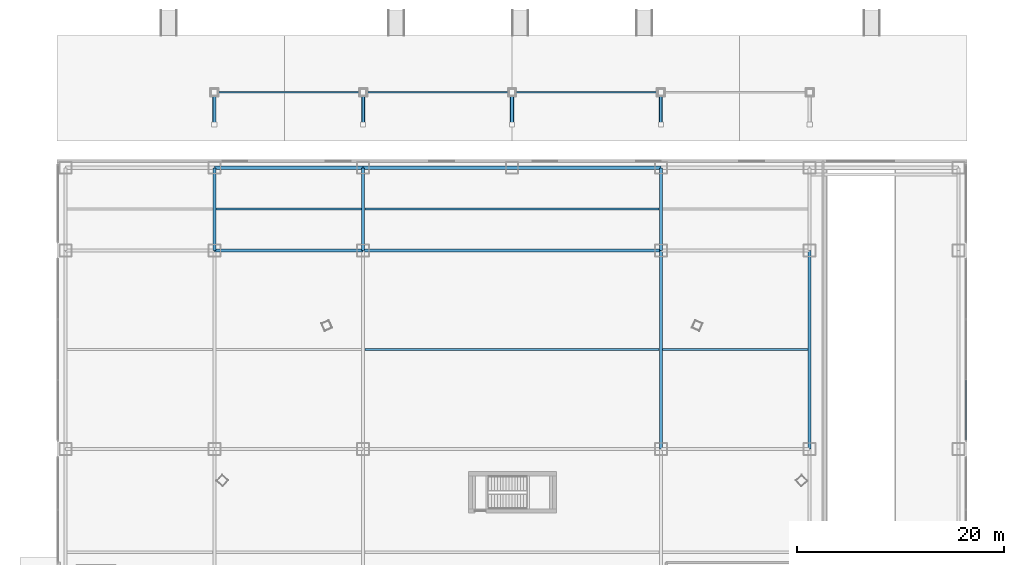
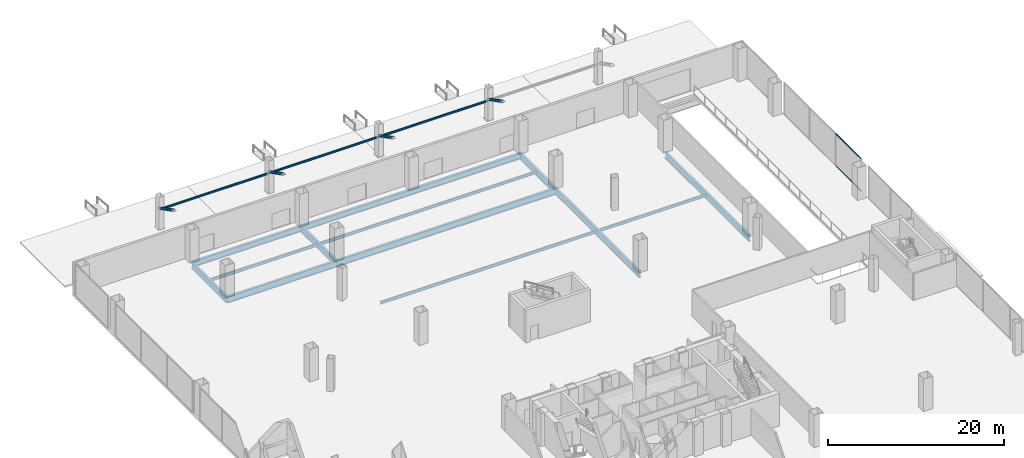
# One storey, part 39 of 58: 16 beams, 6 members, 1 element without a shape of its own.
"""IFC4 building model written with IfcOpenShell, lengths in metres."""

from ifc_helpers import new_model, si_unit, direction, frame, origin, origin_2d, place, context, subcontext, project, spatial, hollow_rectangle, hollow_circle, i_section, extrude, source, transform, mapped, material, layer, layer_set, material_profile, profile_set, type_object, element, aggregate, save


model = new_model("IFC4")

# Units and contexts
model_context = context("Model", 3, precision=1e-05, world=origin(), true_north=direction((0.0, 1.0)))
body_context = subcontext(model_context, "Body", "Model", "MODEL_VIEW")
ifc_project = project(units=[si_unit("LENGTHUNIT", "METRE"), si_unit("AREAUNIT", "SQUARE_METRE"), si_unit("VOLUMEUNIT", "CUBIC_METRE"), si_unit("PLANEANGLEUNIT", "RADIAN"), si_unit("MASSUNIT", "GRAM", prefix="KILO"), si_unit("THERMODYNAMICTEMPERATUREUNIT", "KELVIN"), si_unit("POWERUNIT", "WATT")], contexts=[model_context])

# Site, building, storey
site_placement = place(None, origin())
site = spatial("IfcSite", under=ifc_project, at=site_placement, CompositionType="ELEMENT")
building_placement = place(site_placement, origin())
building = spatial("IfcBuilding", under=site, at=building_placement, Name="Yunzhuo Pagoda Commons", CompositionType="ELEMENT")
storey_placement = place(building_placement, origin())
storey = spatial("IfcBuildingStorey", under=building, at=storey_placement, Name="L01", CompositionType="ELEMENT", Elevation=0.0)

# Members
ifc_material_1 = material(Name="Structural steel Q355B", Category="steel")
ifc_material_profile_1 = material_profile(ifc_material_1, hollow_circle(Radius=0.177978515625, WallThickness=0.01611328125, at=origin_2d()), Name="Structural steel Q355B")
ifc_profile_set_1 = profile_set([ifc_material_profile_1], Name="Structural steel Q355B")
member_type_1 = type_object("IfcMemberType", Name="M-CST Strut CHS 356x16", PredefinedType="STRUT", material=ifc_profile_set_1)
shared_shape_1 = source(origin(), body_context, "Body", "SweptSolid", [
    extrude(hollow_circle(Radius=0.177978515625, WallThickness=0.01611328125, at=origin_2d()), origin(), (0.0, 0.0, 1.0), 3.4794921875),
])
for number, where, z_axis, x_axis, name in (
    (1, (19.199951171875, 96.5, 2.699951171875), (0.0, -0.890948451549, 0.454104455696), (1.0, 0.0, 0.0), "Canopy strut N1"),
    (2, (33.60009765625, 96.5, 2.699951171875), (0.0, -0.890948451549, 0.454104455696), (1.0, 0.0, 0.0), "Canopy strut N2"),
    (3, (48.0, 96.5, 2.699951171875), (0.0, -0.890948451549, 0.454104455696), (1.0, 0.0, 0.0), "Canopy strut N3"),
    (4, (62.39990234375, 96.5, 2.699951171875), (0.0, -0.890948451549, 0.454104455696), (1.0, 0.0, 0.0), "Canopy strut N4"),
):
    element("IfcMember", number, at=place(storey_placement, frame(where, z_axis=z_axis, x_axis=x_axis)), inside=storey, type_object=member_type_1, Name=name, PredefinedType="STRUT", context=body_context, shape_type="MappedRepresentation", body=[
        mapped(shared_shape_1, transform((0.0, 0.0, 0.0), scale=1.0)),
    ])

# Beams
ifc_material_profile_2 = material_profile(ifc_material_1, i_section(OverallWidth=0.300048828125, OverallDepth=0.800048828125, WebThickness=0.013916015625, FlangeThickness=0.02587890625, at=origin_2d()), Name="Structural steel Q355B")
ifc_profile_set_2 = profile_set([ifc_material_profile_2], Name="Structural steel Q355B")
beam_type_1 = type_object("IfcBeamType", Name="B-PD2 Beam HN 800x300x14x26", PredefinedType="BEAM", material=ifc_profile_set_2)
shared_shape_2 = source(origin(), body_context, "Body", "SweptSolid", [
    extrude(i_section(OverallWidth=0.300048828125, OverallDepth=0.800048828125, WebThickness=0.013916015625, FlangeThickness=0.02587890625, at=origin_2d()), origin(), (0.0, 0.0, 1.0), 14.400146484375),
])
beam_1_placement = place(storey_placement, frame((19.199951171875, 89.199951171875, -0.679931640625), z_axis=(1.0, 0.0, 0.0), x_axis=(0.0, 1.0, 0.0)))
element("IfcBeam", 5, at=beam_1_placement, inside=storey, type_object=beam_type_1, Name="L01 podium girder EW 6.2", PredefinedType="BEAM", context=body_context, shape_type="MappedRepresentation", body=[
    mapped(shared_shape_2, transform((0.0, 0.0, 0.0), scale=1.0)),
])
shared_shape_3 = source(origin(), body_context, "Body", "SweptSolid", [
    extrude(i_section(OverallWidth=0.300048828125, OverallDepth=0.800048828125, WebThickness=0.013916015625, FlangeThickness=0.02587890625, at=origin_2d()), origin(), (0.0, 0.0, 1.0), 28.7998046875),
])
beam_2_placement = place(storey_placement, frame((33.60009765625, 89.199951171875, -0.679931640625), z_axis=(1.0, 0.0, 0.0), x_axis=(0.0, 1.0, 0.0)))
element("IfcBeam", 6, at=beam_2_placement, inside=storey, type_object=beam_type_1, Name="L01 podium girder EW 6.3", PredefinedType="BEAM", context=body_context, shape_type="MappedRepresentation", body=[
    mapped(shared_shape_3, transform((0.0, 0.0, 0.0), scale=1.0)),
])
ifc_material_profile_3 = material_profile(ifc_material_1, i_section(OverallWidth=0.300048828125, OverallDepth=0.89990234375, WebThickness=0.01611328125, FlangeThickness=0.028076171875, at=origin_2d()), Name="Structural steel Q355B")
ifc_profile_set_3 = profile_set([ifc_material_profile_3], Name="Structural steel Q355B")
beam_type_2 = type_object("IfcBeamType", Name="B-PD1 Beam HN 900x300x16x28", PredefinedType="BEAM", material=ifc_profile_set_3)
shared_shape_4 = source(origin(), body_context, "Body", "SweptSolid", [
    extrude(i_section(OverallWidth=0.300048828125, OverallDepth=0.89990234375, WebThickness=0.01611328125, FlangeThickness=0.028076171875, at=origin_2d()), origin(), (0.0, 0.0, 1.0), 14.400146484375),
])
beam_3_placement = place(storey_placement, frame((19.199951171875, 81.199951171875, -0.729736328125), z_axis=(1.0, 0.0, 0.0), x_axis=(0.0, 1.0, 0.0)))
element("IfcBeam", 7, at=beam_3_placement, inside=storey, type_object=beam_type_2, Name="L01 podium girder EW 5.2", PredefinedType="BEAM", context=body_context, shape_type="MappedRepresentation", body=[
    mapped(shared_shape_4, transform((0.0, 0.0, 0.0), scale=1.0)),
])
shared_shape_5 = source(origin(), body_context, "Body", "SweptSolid", [
    extrude(i_section(OverallWidth=0.300048828125, OverallDepth=0.89990234375, WebThickness=0.01611328125, FlangeThickness=0.028076171875, at=origin_2d()), origin(), (0.0, 0.0, 1.0), 28.7998046875),
])
beam_4_placement = place(storey_placement, frame((33.60009765625, 81.199951171875, -0.729736328125), z_axis=(1.0, 0.0, 0.0), x_axis=(0.0, 1.0, 0.0)))
element("IfcBeam", 8, at=beam_4_placement, inside=storey, type_object=beam_type_2, Name="L01 podium girder EW 5.3", PredefinedType="BEAM", context=body_context, shape_type="MappedRepresentation", body=[
    mapped(shared_shape_5, transform((0.0, 0.0, 0.0), scale=1.0)),
])
ifc_material_profile_4 = material_profile(ifc_material_1, i_section(OverallWidth=0.199951171875, OverallDepth=0.39990234375, WebThickness=0.008056640625, FlangeThickness=0.012939453125, at=origin_2d()), Name="Structural steel Q355B")
ifc_profile_set_4 = profile_set([ifc_material_profile_4], Name="Structural steel Q355B")
beam_type_3 = type_object("IfcBeamType", Name="B-JS1 Joist HN 400x200x8x13", PredefinedType="JOIST", material=ifc_profile_set_4)
shared_shape_6 = source(origin(), body_context, "Body", "SweptSolid", [
    extrude(i_section(OverallWidth=0.199951171875, OverallDepth=0.39990234375, WebThickness=0.008056640625, FlangeThickness=0.012939453125, at=origin_2d()), origin(), (0.0, 0.0, 1.0), 14.08984375),
])
beam_5_placement = place(storey_placement, frame((19.355224609375, 85.199951171875, -0.479736328125), z_axis=(1.0, 0.0, 0.0), x_axis=(0.0, 1.0, 0.0)))
element("IfcBeam", 9, at=beam_5_placement, inside=storey, type_object=beam_type_3, Name="L01 podium composite joist 2.5", PredefinedType="JOIST", context=body_context, shape_type="MappedRepresentation", body=[
    mapped(shared_shape_6, transform((0.0, 0.0, 0.0), scale=1.0)),
])
shared_shape_7 = source(origin(), body_context, "Body", "SweptSolid", [
    extrude(i_section(OverallWidth=0.300048828125, OverallDepth=0.89990234375, WebThickness=0.01611328125, FlangeThickness=0.028076171875, at=origin_2d()), origin(), (0.0, 0.0, 1.0), 19.199951171875),
])
for number, where, z_axis, x_axis, name in (
    (10, (62.39990234375, 62.0, -0.729736328125), (0.0, 1.0, 0.0), (-1.0, 0.0, 0.0), "L01 podium girder NS 4.4"),
    (11, (76.800048828125, 62.0, -0.729736328125), (0.0, 1.0, 0.0), (-1.0, 0.0, 0.0), "L01 podium girder NS 5.4"),
):
    element("IfcBeam", number, at=place(storey_placement, frame(where, z_axis=z_axis, x_axis=x_axis)), inside=storey, type_object=beam_type_2, Name=name, PredefinedType="BEAM", context=body_context, shape_type="MappedRepresentation", body=[
        mapped(shared_shape_7, transform((0.0, 0.0, 0.0), scale=1.0)),
    ])
shared_shape_8 = source(origin(), body_context, "Body", "SweptSolid", [
    extrude(i_section(OverallWidth=0.300048828125, OverallDepth=0.89990234375, WebThickness=0.01611328125, FlangeThickness=0.028076171875, at=origin_2d()), origin(), (0.0, 0.0, 1.0), 8.0),
])
for number, where, z_axis, x_axis, name in (
    (12, (19.199951171875, 81.199951171875, -0.729736328125), (0.0, 1.0, 0.0), (-1.0, 0.0, 0.0), "L01 podium girder NS 2.5"),
    (13, (33.60009765625, 81.199951171875, -0.729736328125), (0.0, 1.0, 0.0), (-1.0, 0.0, 0.0), "L01 podium girder NS 3.5"),
    (14, (62.39990234375, 81.199951171875, -0.729736328125), (0.0, 1.0, 0.0), (-1.0, 0.0, 0.0), "L01 podium girder NS 4.5"),
):
    element("IfcBeam", number, at=place(storey_placement, frame(where, z_axis=z_axis, x_axis=x_axis)), inside=storey, type_object=beam_type_2, Name=name, PredefinedType="BEAM", context=body_context, shape_type="MappedRepresentation", body=[
        mapped(shared_shape_8, transform((0.0, 0.0, 0.0), scale=1.0)),
    ])
shared_shape_9 = source(origin(), body_context, "Body", "SweptSolid", [
    extrude(i_section(OverallWidth=0.199951171875, OverallDepth=0.39990234375, WebThickness=0.008056640625, FlangeThickness=0.012939453125, at=origin_2d()), origin(), (0.0, 0.0, 1.0), 28.490234375),
])
for number, where, z_axis, x_axis, name in (
    (15, (33.7548828125, 71.60009765625, -0.479736328125), (1.0, 0.0, 0.0), (0.0, 1.0, 0.0), "L01 podium composite joist 3.4"),
    (16, (33.7548828125, 85.199951171875, -0.479736328125), (1.0, 0.0, 0.0), (0.0, 1.0, 0.0), "L01 podium composite joist 3.5"),
):
    element("IfcBeam", number, at=place(storey_placement, frame(where, z_axis=z_axis, x_axis=x_axis)), inside=storey, type_object=beam_type_3, Name=name, PredefinedType="JOIST", context=body_context, shape_type="MappedRepresentation", body=[
        mapped(shared_shape_9, transform((0.0, 0.0, 0.0), scale=1.0)),
    ])
shared_shape_10 = source(origin(), body_context, "Body", "SweptSolid", [
    extrude(i_section(OverallWidth=0.199951171875, OverallDepth=0.39990234375, WebThickness=0.008056640625, FlangeThickness=0.012939453125, at=origin_2d()), origin(), (0.0, 0.0, 1.0), 14.09033203125),
])
beam_6_placement = place(storey_placement, frame((62.554931640625, 71.60009765625, -0.479736328125), z_axis=(1.0, 0.0, 0.0), x_axis=(0.0, 1.0, 0.0)))
element("IfcBeam", 17, at=beam_6_placement, inside=storey, type_object=beam_type_3, Name="L01 podium composite joist 4.4", PredefinedType="JOIST", context=body_context, shape_type="MappedRepresentation", body=[
    mapped(shared_shape_10, transform((0.0, 0.0, 0.0), scale=1.0)),
])
ifc_material_profile_5 = material_profile(ifc_material_1, i_section(OverallWidth=0.125, OverallDepth=0.25, WebThickness=0.006103515625, FlangeThickness=0.009033203125, at=origin_2d()), Name="Structural steel Q355B")
ifc_profile_set_5 = profile_set([ifc_material_profile_5], Name="Structural steel Q355B")
beam_type_4 = type_object("IfcBeamType", Name="B-LN1 Lintel HN 250x125x6x9", PredefinedType="LINTEL", material=ifc_profile_set_5)
shared_shape_11 = source(origin(), body_context, "Body", "SweptSolid", [
    extrude(i_section(OverallWidth=0.125, OverallDepth=0.25, WebThickness=0.006103515625, FlangeThickness=0.009033203125, at=origin_2d()), origin(), (0.0, 0.0, 1.0), 14.400146484375),
])
beam_7_placement = place(storey_placement, frame((19.199951171875, 96.5, 2.52490234375), z_axis=(1.0, 0.0, 0.0), x_axis=(0.0, 1.0, 0.0)))
element("IfcBeam", 18, at=beam_7_placement, inside=storey, type_object=beam_type_4, Name="Colonnade transom lintel N1", PredefinedType="LINTEL", context=body_context, shape_type="MappedRepresentation", body=[
    mapped(shared_shape_11, transform((0.0, 0.0, 0.0), scale=1.0)),
])
shared_shape_12 = source(origin(), body_context, "Body", "SweptSolid", [
    extrude(i_section(OverallWidth=0.125, OverallDepth=0.25, WebThickness=0.006103515625, FlangeThickness=0.009033203125, at=origin_2d()), origin(), (0.0, 0.0, 1.0), 14.39990234375),
])
for number, where, z_axis, x_axis, name in (
    (19, (33.60009765625, 96.5, 2.52490234375), (1.0, 0.0, 0.0), (0.0, 1.0, 0.0), "Colonnade transom lintel N2"),
    (20, (48.0, 96.5, 2.52490234375), (1.0, 0.0, 0.0), (0.0, 1.0, 0.0), "Colonnade transom lintel N3"),
):
    element("IfcBeam", number, at=place(storey_placement, frame(where, z_axis=z_axis, x_axis=x_axis)), inside=storey, type_object=beam_type_4, Name=name, PredefinedType="LINTEL", context=body_context, shape_type="MappedRepresentation", body=[
        mapped(shared_shape_12, transform((0.0, 0.0, 0.0), scale=1.0)),
    ])

# Curtain wall, members
ifc_material_2 = material(Name="Anodized aluminium 6063-T6", Category="aluminium")
ifc_layer = layer(ifc_material_2, 0.179931640625)
ifc_layer_set = layer_set([ifc_layer], Name="Anodized aluminium 6063-T6")
curtain_wall_type = type_object("IfcCurtainWallType", Name="CW-POD Waterfront Podium Curtain Wall", PredefinedType="NOTDEFINED", material=ifc_layer_set)
curtain_wall_placement = place(storey_placement, origin())
curtain_wall = element("IfcCurtainWall", 21, at=curtain_wall_placement, inside=storey, type_object=curtain_wall_type, Name="L01 curtain wall CW-L01-E4", PredefinedType="NOTDEFINED")
ifc_material_profile_6 = material_profile(ifc_material_2, hollow_rectangle(XDim=0.06005859375, YDim=0.14990234375, WallThickness=0.00390625, at=origin_2d()), Name="Anodized aluminium 6063-T6")
ifc_profile_set_6 = profile_set([ifc_material_profile_6], Name="Anodized aluminium 6063-T6")
member_type_2 = type_object("IfcMemberType", Name="CW-POD-T Transom RHS 150x60x4", PredefinedType="USERDEFINED", material=ifc_profile_set_6)
shared_shape_13 = source(origin(), body_context, "Body", "SweptSolid", [
    extrude(hollow_rectangle(XDim=0.06005859375, YDim=0.14990234375, WallThickness=0.00390625, at=origin_2d()), origin(), (0.0, 0.0, 1.0), 5.769287109375),
])
member_1_placement = place(storey_placement, frame((91.919921875, 62.864990234375, 0.030029296875), z_axis=(0.0, 1.0, 0.0), x_axis=(-1.0, 0.0, 0.0)))
member_1 = element("IfcMember", 22, at=member_1_placement, type_object=member_type_2, Name="CW transom 1.1", ObjectType="TRANSOM", PredefinedType="USERDEFINED", context=body_context, shape_type="MappedRepresentation", body=[
    mapped(shared_shape_13, transform((0.0, 0.0, 0.0), scale=1.0)),
])
member_2_placement = place(storey_placement, frame((91.919921875, 62.864990234375, 4.489990234375), z_axis=(0.0, 1.0, 0.0), x_axis=(-1.0, 0.0, 0.0)))
member_2 = element("IfcMember", 23, at=member_2_placement, type_object=member_type_2, Name="CW transom 1.2", ObjectType="TRANSOM", PredefinedType="USERDEFINED", context=body_context, shape_type="MappedRepresentation", body=[
    mapped(shared_shape_13, transform((0.0, 0.0, 0.0), scale=1.0)),
])
aggregate(curtain_wall, [member_1, member_2])

save(model, "model.ifc")
